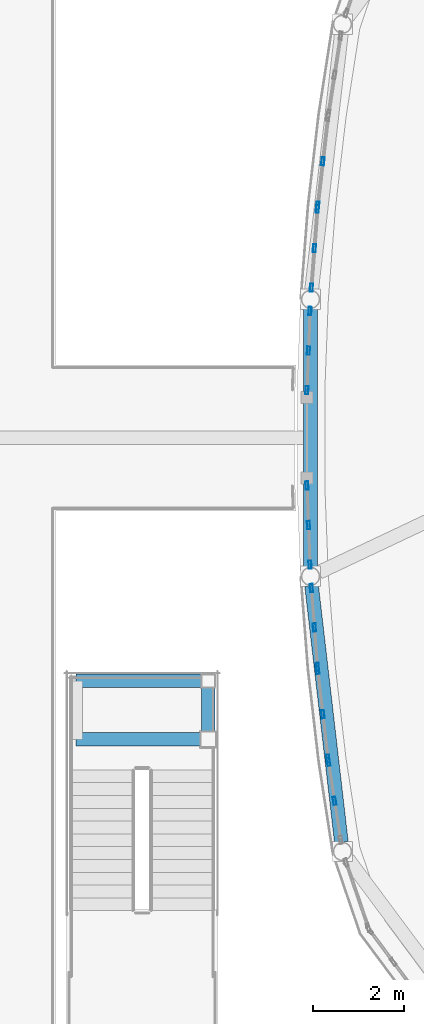
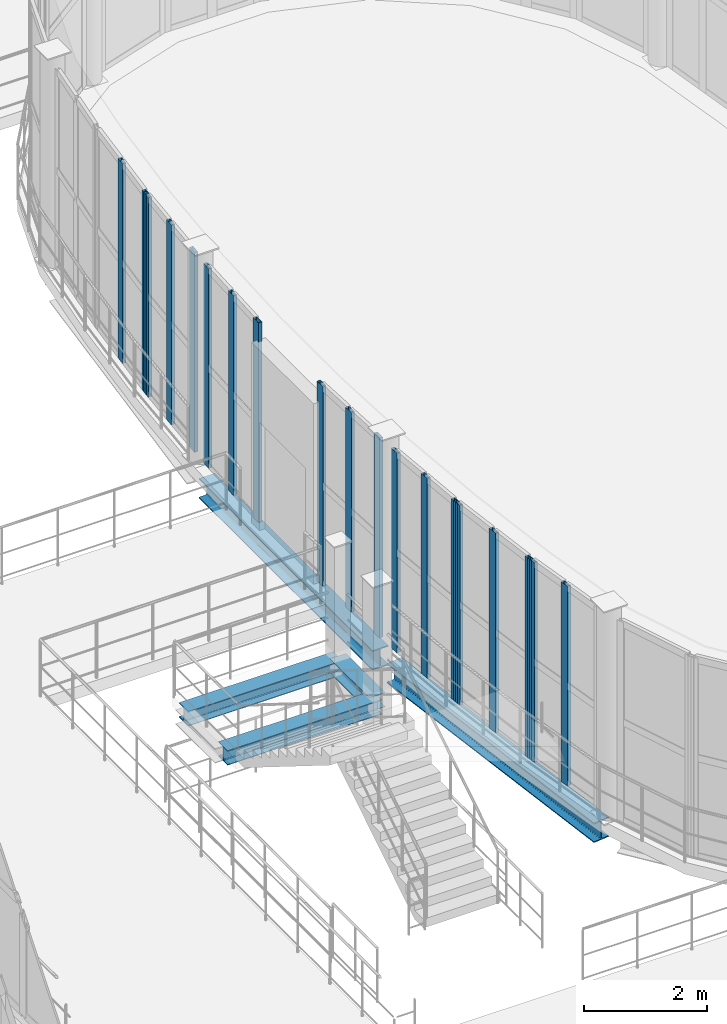
# One storey, part 44 of 121: 19 members, 5 beams, 7 elements without a shape of their own.
"""IFC4 building model written with IfcOpenShell, lengths in metres."""

from ifc_helpers import new_model, si_unit, direction, frame, origin, origin_2d, place, context, subcontext, project, spatial, hollow_rectangle, i_section, extrude, material, layer, layer_set, material_profile, profile_set, type_object, element, aggregate, save


model = new_model("IFC4")

# Units and contexts
model_context = context("Model", 3, precision=1e-05, world=origin(), true_north=direction((0.0, 1.0)))
body_context = subcontext(model_context, "Body", "Model", "MODEL_VIEW")
ifc_project = project(units=[si_unit("LENGTHUNIT", "METRE"), si_unit("AREAUNIT", "SQUARE_METRE"), si_unit("VOLUMEUNIT", "CUBIC_METRE"), si_unit("PLANEANGLEUNIT", "RADIAN"), si_unit("MASSUNIT", "GRAM", prefix="KILO")], contexts=[model_context])

# Site, building, storey
site_placement = place(None, origin())
site = spatial("IfcSite", under=ifc_project, at=site_placement, CompositionType="ELEMENT")
building_placement = place(site_placement, origin())
building = spatial("IfcBuilding", under=site, at=building_placement, Name="Vinh Khe Railworks Police Headquarters", CompositionType="ELEMENT")
storey_placement = place(building_placement, frame((0.0, 0.0, 4.800048828125)))
storey = spatial("IfcBuildingStorey", under=building, at=storey_placement, Name="L01", CompositionType="ELEMENT", Elevation=4.800048828125)

# Beams
ifc_material_1 = material(Name="Steel S355JR", Category="steel")
ifc_material_profile_1 = material_profile(ifc_material_1, i_section(OverallWidth=0.300048828125, OverallDepth=0.2900390625, WebThickness=0.008544921875, FlangeThickness=0.013916015625, FilletRadius=0.027099609375, at=origin_2d()), Name="HEA 300")
ifc_profile_set_1 = profile_set([ifc_material_profile_1], Name="Steel S355JR")
beam_type_1 = type_object("IfcBeamType", Name="Feature Stair Trimmer HEA 300", PredefinedType="BEAM", material=ifc_profile_set_1)
for number, where, z_axis, x_axis, name in (
    (1, (31.64990234375, 35.39990234375, 1.7548828125), (1.0, 0.0, 0.0), (0.0, 1.0, 0.0), "Feature Stair Landing Trimmer L01-1"),
    (2, (31.64990234375, 36.679931640625, 1.7548828125), (1.0, 0.0, 0.0), (0.0, 1.0, 0.0), "Feature Stair Landing Trimmer L01-2"),
):
    element("IfcBeam", number, at=place(storey_placement, frame(where, z_axis=z_axis, x_axis=x_axis)), inside=storey, type_object=beam_type_1, Name=name, PredefinedType="BEAM", context=body_context, shape_type="SweptSolid", body=[
        extrude(i_section(OverallWidth=0.300048828125, OverallDepth=0.2900390625, WebThickness=0.008544921875, FlangeThickness=0.013916015625, FilletRadius=0.027099609375, at=origin_2d()), origin(), (0.0, 0.0, 1.0), 2.900146484375),
    ])
beam_1_placement = place(storey_placement, frame((34.550048828125, 35.39990234375, 1.7548828125), z_axis=(0.0, 1.0, 0.0), x_axis=(-1.0, 0.0, 0.0)))
element("IfcBeam", 3, at=beam_1_placement, inside=storey, type_object=beam_type_1, Name="Feature Stair Landing Stringer Beam L01-2", PredefinedType="BEAM", context=body_context, shape_type="SweptSolid", body=[
    extrude(i_section(OverallWidth=0.300048828125, OverallDepth=0.2900390625, WebThickness=0.008544921875, FlangeThickness=0.013916015625, FilletRadius=0.027099609375, at=origin_2d()), origin(), (0.0, 0.0, 1.0), 1.280029296875),
])

# Curtain wall, members
ifc_material_2 = material(Name="Anodised aluminium and acoustic laminated glass", Category="aluminium")
ifc_layer = layer(ifc_material_2, 0.159912109375)
ifc_layer_set = layer_set([ifc_layer], Name="Anodised aluminium and acoustic laminated glass")
curtain_wall_type = type_object("IfcCurtainWallType", Name="CW-DRUM-CHORD", PredefinedType="USERDEFINED", material=ifc_layer_set)
curtain_wall_1_placement = place(storey_placement, origin())
curtain_wall_1 = element("IfcCurtainWall", 4, at=curtain_wall_1_placement, inside=storey, type_object=curtain_wall_type, Name="Elliptical Command Drum Glazing L01 Chord 20", ObjectType="DRUM FACADE GLAZING", PredefinedType="USERDEFINED")
ifc_material_3 = material(Name="Anodised aluminium 6063-T6", Category="aluminium")
ifc_material_profile_2 = material_profile(ifc_material_3, hollow_rectangle(XDim=0.06494140625, YDim=0.179931640625, WallThickness=0.0048828125, at=origin_2d()), Name="CW-M 65x180x5")
ifc_profile_set_2 = profile_set([ifc_material_profile_2], Name="Anodised aluminium 6063-T6")
member_type = type_object("IfcMemberType", Name="MULL-CWM-02", PredefinedType="MULLION", material=ifc_profile_set_2)
member_1_placement = place(storey_placement, frame((37.059814453125, 48.052978515625, 0.0), z_axis=(0.0, 0.0, 1.0), x_axis=(0.993328656296, -0.115317737498, 0.0)))
member_1 = element("IfcMember", 5, at=member_1_placement, type_object=member_type, Name="CW-02 mullion 2", PredefinedType="MULLION", context=body_context, shape_type="SweptSolid", body=[
    extrude(hollow_rectangle(XDim=0.06494140625, YDim=0.179931640625, WallThickness=0.0048828125, at=origin_2d()), origin(), (0.0, 0.0, 1.0), 3.969970703125),
])
member_2_placement = place(storey_placement, frame((36.947021484375, 47.080810546875, 0.0), z_axis=(0.0, 0.0, 1.0), x_axis=(0.993328656296, -0.115317737498, 0.0)))
member_2 = element("IfcMember", 6, at=member_2_placement, type_object=member_type, Name="CW-02 mullion 3", PredefinedType="MULLION", context=body_context, shape_type="SweptSolid", body=[
    extrude(hollow_rectangle(XDim=0.06494140625, YDim=0.179931640625, WallThickness=0.0048828125, at=origin_2d()), origin(), (0.0, 0.0, 1.0), 3.969970703125),
])
aggregate(curtain_wall_1, [member_1, member_2])

curtain_wall_2_placement = place(storey_placement, origin())
curtain_wall_2 = element("IfcCurtainWall", 7, at=curtain_wall_2_placement, inside=storey, type_object=curtain_wall_type, Name="Elliptical Command Drum Glazing L01 Chord 21", ObjectType="DRUM FACADE GLAZING", PredefinedType="USERDEFINED")
member_3_placement = place(storey_placement, frame((36.94091796875, 47.01611328125, 0.0), z_axis=(0.0, 0.0, 1.0), x_axis=(0.997033261905, -0.076971908223, 0.0)))
member_3 = element("IfcMember", 8, at=member_3_placement, type_object=member_type, Name="CW-02 mullion 1", PredefinedType="MULLION", context=body_context, shape_type="SweptSolid", body=[
    extrude(hollow_rectangle(XDim=0.06494140625, YDim=0.179931640625, WallThickness=0.0048828125, at=origin_2d()), origin(), (0.0, 0.0, 1.0), 3.969970703125),
])
member_4_placement = place(storey_placement, frame((36.8740234375, 46.151611328125, 0.0), z_axis=(0.0, 0.0, 1.0), x_axis=(0.997033261905, -0.076971908223, 0.0)))
member_4 = element("IfcMember", 9, at=member_4_placement, type_object=member_type, Name="CW-02 mullion 2", PredefinedType="MULLION", context=body_context, shape_type="SweptSolid", body=[
    extrude(hollow_rectangle(XDim=0.06494140625, YDim=0.179931640625, WallThickness=0.0048828125, at=origin_2d()), origin(), (0.0, 0.0, 1.0), 3.969970703125),
])
member_5_placement = place(storey_placement, frame((36.807373046875, 45.287109375, 0.0), z_axis=(0.0, 0.0, 1.0), x_axis=(0.997033261905, -0.076971908223, 0.0)))
member_5 = element("IfcMember", 10, at=member_5_placement, type_object=member_type, Name="CW-02 mullion 3", PredefinedType="MULLION", context=body_context, shape_type="SweptSolid", body=[
    extrude(hollow_rectangle(XDim=0.06494140625, YDim=0.179931640625, WallThickness=0.0048828125, at=origin_2d()), origin(), (0.0, 0.0, 1.0), 3.969970703125),
])
aggregate(curtain_wall_2, [member_3, member_4, member_5])

curtain_wall_3_placement = place(storey_placement, origin())
curtain_wall_3 = element("IfcCurtainWall", 11, at=curtain_wall_3_placement, inside=storey, type_object=curtain_wall_type, Name="Elliptical Command Drum Glazing L01 Chord 22", ObjectType="DRUM FACADE GLAZING", PredefinedType="USERDEFINED")
member_6_placement = place(storey_placement, frame((36.77783203125, 44.776611328125, 0.0), z_axis=(0.0, 0.0, 1.0), x_axis=(0.99925814209, -0.038511887338, 0.0)))
member_6 = element("IfcMember", 12, at=member_6_placement, type_object=member_type, Name="CW-02 mullion 1", PredefinedType="MULLION", context=body_context, shape_type="SweptSolid", body=[
    extrude(hollow_rectangle(XDim=0.06494140625, YDim=0.179931640625, WallThickness=0.0048828125, at=origin_2d()), origin(), (0.0, 0.0, 1.0), 3.969970703125),
])
member_7_placement = place(storey_placement, frame((36.744384765625, 43.91015625, 0.0), z_axis=(0.0, 0.0, 1.0), x_axis=(0.99925814209, -0.038511887338, 0.0)))
member_7 = element("IfcMember", 13, at=member_7_placement, type_object=member_type, Name="CW-02 mullion 2", PredefinedType="MULLION", context=body_context, shape_type="SweptSolid", body=[
    extrude(hollow_rectangle(XDim=0.06494140625, YDim=0.179931640625, WallThickness=0.0048828125, at=origin_2d()), origin(), (0.0, 0.0, 1.0), 3.969970703125),
])
member_8_placement = place(storey_placement, frame((36.7109375, 43.043701171875, 0.0), z_axis=(0.0, 0.0, 1.0), x_axis=(0.99925814209, -0.038511887338, 0.0)))
member_8 = element("IfcMember", 14, at=member_8_placement, type_object=member_type, Name="CW-02 mullion 3", PredefinedType="MULLION", context=body_context, shape_type="SweptSolid", body=[
    extrude(hollow_rectangle(XDim=0.06494140625, YDim=0.179931640625, WallThickness=0.0048828125, at=origin_2d()), origin(), (0.0, 0.0, 1.0), 3.969970703125),
])
aggregate(curtain_wall_3, [member_6, member_7, member_8])

curtain_wall_4_placement = place(storey_placement, origin())
curtain_wall_4 = element("IfcCurtainWall", 15, at=curtain_wall_4_placement, inside=storey, type_object=curtain_wall_type, Name="Elliptical Command Drum Glazing L01 Chord 24", ObjectType="DRUM FACADE GLAZING", PredefinedType="USERDEFINED")
member_9_placement = place(storey_placement, frame((36.7109375, 40.956298828125, 0.0), z_axis=(0.0, 0.0, 1.0), x_axis=(0.99925814209, 0.038511887338, 0.0)))
member_9 = element("IfcMember", 16, at=member_9_placement, type_object=member_type, Name="CW-02 mullion 1", PredefinedType="MULLION", context=body_context, shape_type="SweptSolid", body=[
    extrude(hollow_rectangle(XDim=0.06494140625, YDim=0.179931640625, WallThickness=0.0048828125, at=origin_2d()), origin(), (0.0, 0.0, 1.0), 3.969970703125),
])
member_10_placement = place(storey_placement, frame((36.744384765625, 40.08984375, 0.0), z_axis=(0.0, 0.0, 1.0), x_axis=(0.99925814209, 0.038511887338, 0.0)))
member_10 = element("IfcMember", 17, at=member_10_placement, type_object=member_type, Name="CW-02 mullion 2", PredefinedType="MULLION", context=body_context, shape_type="SweptSolid", body=[
    extrude(hollow_rectangle(XDim=0.06494140625, YDim=0.179931640625, WallThickness=0.0048828125, at=origin_2d()), origin(), (0.0, 0.0, 1.0), 3.969970703125),
])
member_11_placement = place(storey_placement, frame((36.77783203125, 39.223388671875, 0.0), z_axis=(0.0, 0.0, 1.0), x_axis=(0.99925814209, 0.038511887338, 0.0)))
member_11 = element("IfcMember", 18, at=member_11_placement, type_object=member_type, Name="CW-02 mullion 3", PredefinedType="MULLION", context=body_context, shape_type="SweptSolid", body=[
    extrude(hollow_rectangle(XDim=0.06494140625, YDim=0.179931640625, WallThickness=0.0048828125, at=origin_2d()), origin(), (0.0, 0.0, 1.0), 3.969970703125),
])
aggregate(curtain_wall_4, [member_9, member_10, member_11])

curtain_wall_5_placement = place(storey_placement, origin())
curtain_wall_5 = element("IfcCurtainWall", 19, at=curtain_wall_5_placement, inside=storey, type_object=curtain_wall_type, Name="Elliptical Command Drum Glazing L01 Chord 25", ObjectType="DRUM FACADE GLAZING", PredefinedType="USERDEFINED")
member_12_placement = place(storey_placement, frame((36.807373046875, 38.712890625, 0.0), z_axis=(0.0, 0.0, 1.0), x_axis=(0.997033261905, 0.076971908223, 0.0)))
member_12 = element("IfcMember", 20, at=member_12_placement, type_object=member_type, Name="CW-02 mullion 1", PredefinedType="MULLION", context=body_context, shape_type="SweptSolid", body=[
    extrude(hollow_rectangle(XDim=0.06494140625, YDim=0.179931640625, WallThickness=0.0048828125, at=origin_2d()), origin(), (0.0, 0.0, 1.0), 3.969970703125),
])
member_13_placement = place(storey_placement, frame((36.8740234375, 37.848388671875, 0.0), z_axis=(0.0, 0.0, 1.0), x_axis=(0.997033261905, 0.076971908223, 0.0)))
member_13 = element("IfcMember", 21, at=member_13_placement, type_object=member_type, Name="CW-02 mullion 2", PredefinedType="MULLION", context=body_context, shape_type="SweptSolid", body=[
    extrude(hollow_rectangle(XDim=0.06494140625, YDim=0.179931640625, WallThickness=0.0048828125, at=origin_2d()), origin(), (0.0, 0.0, 1.0), 3.969970703125),
])
member_14_placement = place(storey_placement, frame((36.94091796875, 36.98388671875, 0.0), z_axis=(0.0, 0.0, 1.0), x_axis=(0.997033261905, 0.076971908223, 0.0)))
member_14 = element("IfcMember", 22, at=member_14_placement, type_object=member_type, Name="CW-02 mullion 3", PredefinedType="MULLION", context=body_context, shape_type="SweptSolid", body=[
    extrude(hollow_rectangle(XDim=0.06494140625, YDim=0.179931640625, WallThickness=0.0048828125, at=origin_2d()), origin(), (0.0, 0.0, 1.0), 3.969970703125),
])
aggregate(curtain_wall_5, [member_12, member_13, member_14])

curtain_wall_6_placement = place(storey_placement, origin())
curtain_wall_6 = element("IfcCurtainWall", 23, at=curtain_wall_6_placement, inside=storey, type_object=curtain_wall_type, Name="Elliptical Command Drum Glazing L01 Chord 26", ObjectType="DRUM FACADE GLAZING", PredefinedType="USERDEFINED")
member_15_placement = place(storey_placement, frame((36.947021484375, 36.919189453125, 0.0), z_axis=(0.0, 0.0, 1.0), x_axis=(0.993328656296, 0.115317737498, 0.0)))
member_15 = element("IfcMember", 24, at=member_15_placement, type_object=member_type, Name="CW-02 mullion 1", PredefinedType="MULLION", context=body_context, shape_type="SweptSolid", body=[
    extrude(hollow_rectangle(XDim=0.06494140625, YDim=0.179931640625, WallThickness=0.0048828125, at=origin_2d()), origin(), (0.0, 0.0, 1.0), 3.969970703125),
])
member_16_placement = place(storey_placement, frame((37.059814453125, 35.947021484375, 0.0), z_axis=(0.0, 0.0, 1.0), x_axis=(0.993328656296, 0.115317737498, 0.0)))
member_16 = element("IfcMember", 25, at=member_16_placement, type_object=member_type, Name="CW-02 mullion 2", PredefinedType="MULLION", context=body_context, shape_type="SweptSolid", body=[
    extrude(hollow_rectangle(XDim=0.06494140625, YDim=0.179931640625, WallThickness=0.0048828125, at=origin_2d()), origin(), (0.0, 0.0, 1.0), 3.969970703125),
])
member_17_placement = place(storey_placement, frame((37.1728515625, 34.974853515625, 0.0), z_axis=(0.0, 0.0, 1.0), x_axis=(0.993328656296, 0.115317737498, 0.0)))
member_17 = element("IfcMember", 26, at=member_17_placement, type_object=member_type, Name="CW-02 mullion 3", PredefinedType="MULLION", context=body_context, shape_type="SweptSolid", body=[
    extrude(hollow_rectangle(XDim=0.06494140625, YDim=0.179931640625, WallThickness=0.0048828125, at=origin_2d()), origin(), (0.0, 0.0, 1.0), 3.969970703125),
])
aggregate(curtain_wall_6, [member_15, member_16, member_17])

curtain_wall_7_placement = place(storey_placement, origin())
curtain_wall_7 = element("IfcCurtainWall", 27, at=curtain_wall_7_placement, inside=storey, type_object=curtain_wall_type, Name="Elliptical Command Drum Glazing L01 Chord 27", ObjectType="DRUM FACADE GLAZING", PredefinedType="USERDEFINED")
member_18_placement = place(storey_placement, frame((37.181396484375, 34.910400390625, 0.0), z_axis=(0.0, 0.0, 1.0), x_axis=(0.988150267331, 0.153489573502, 0.0)))
member_18 = element("IfcMember", 28, at=member_18_placement, type_object=member_type, Name="CW-02 mullion 1", PredefinedType="MULLION", context=body_context, shape_type="SweptSolid", body=[
    extrude(hollow_rectangle(XDim=0.06494140625, YDim=0.179931640625, WallThickness=0.0048828125, at=origin_2d()), origin(), (0.0, 0.0, 1.0), 3.969970703125),
])
member_19_placement = place(storey_placement, frame((37.314697265625, 34.0537109375, 0.0), z_axis=(0.0, 0.0, 1.0), x_axis=(0.988150267331, 0.153489573502, 0.0)))
member_19 = element("IfcMember", 29, at=member_19_placement, type_object=member_type, Name="CW-02 mullion 2", PredefinedType="MULLION", context=body_context, shape_type="SweptSolid", body=[
    extrude(hollow_rectangle(XDim=0.06494140625, YDim=0.179931640625, WallThickness=0.0048828125, at=origin_2d()), origin(), (0.0, 0.0, 1.0), 3.969970703125),
])
aggregate(curtain_wall_7, [member_18, member_19])

# Beams
ifc_material_profile_3 = material_profile(ifc_material_1, i_section(OverallWidth=0.300048828125, OverallDepth=0.389892578125, WebThickness=0.010986328125, FlangeThickness=0.01904296875, FilletRadius=0.027099609375, at=origin_2d()), Name="HEA 400")
ifc_profile_set_3 = profile_set([ifc_material_profile_3], Name="Steel S355JR")
beam_type_2 = type_object("IfcBeamType", Name="Steel Girder HEA 400", PredefinedType="BEAM", material=ifc_profile_set_3)
beam_2_placement = place(storey_placement, frame((36.8115234375, 38.7607421875, -0.43505859375), z_axis=(0.115341149959, -0.993325938011, 0.0), x_axis=(0.993325938011, 0.115341149959, 0.0)))
element("IfcBeam", 30, at=beam_2_placement, inside=storey, type_object=beam_type_2, Name="Drum Ring Girder BM-L01-DRUM-SB-14-0715", PredefinedType="BEAM", context=body_context, shape_type="SweptSolid", body=[
    extrude(i_section(OverallWidth=0.300048828125, OverallDepth=0.389892578125, WebThickness=0.010986328125, FlangeThickness=0.01904296875, FilletRadius=0.027099609375, at=origin_2d()), origin(), (0.0, 0.0, 1.0), 5.647216796875),
])
beam_3_placement = place(storey_placement, frame((36.78759765625, 44.823486328125, -0.43505859375), z_axis=(0.0, -1.0, 0.0), x_axis=(1.0, 0.0, 0.0)))
element("IfcBeam", 31, at=beam_3_placement, inside=storey, type_object=beam_type_2, Name="Drum Ring Girder BM-L01-DRUM-SB-14-0726", PredefinedType="BEAM", context=body_context, shape_type="SweptSolid", body=[
    extrude(i_section(OverallWidth=0.300048828125, OverallDepth=0.389892578125, WebThickness=0.010986328125, FlangeThickness=0.01904296875, FilletRadius=0.027099609375, at=origin_2d()), origin(), (0.0, 0.0, 1.0), 5.64697265625),
])

save(model, "model.ifc")
